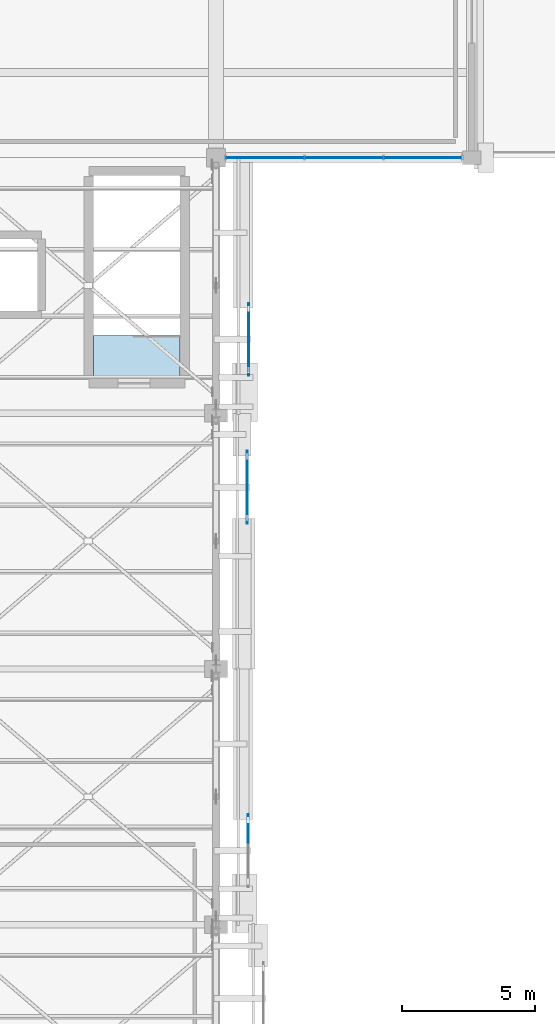
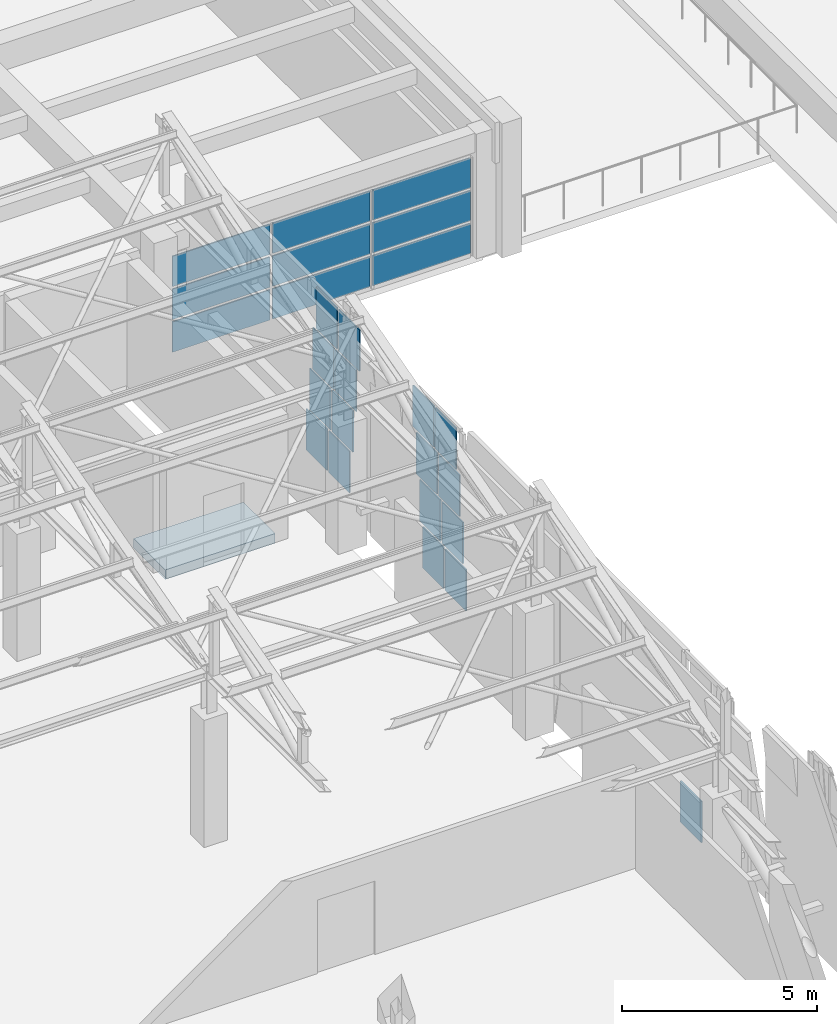
# One storey, part 36 of 71: 26 plates, 1 slab, 4 elements without a shape of their own.
"""IFC4 building model written with IfcOpenShell, lengths in metres."""

from ifc_helpers import new_model, si_unit, direction, frame, origin, origin_2d, place, context, subcontext, project, spatial, polyline, rectangle, outline, extrude, material, layer, layer_set, type_object, element, aggregate, save


model = new_model("IFC4")

# Units and contexts
model_context = context("Model", 3, precision=1e-05, world=origin(), true_north=direction((0.0, 1.0)))
body_context = subcontext(model_context, "Body", "Model", "MODEL_VIEW")
ifc_project = project(units=[si_unit("LENGTHUNIT", "METRE"), si_unit("AREAUNIT", "SQUARE_METRE"), si_unit("VOLUMEUNIT", "CUBIC_METRE"), si_unit("PLANEANGLEUNIT", "RADIAN"), si_unit("MASSUNIT", "GRAM", prefix="KILO")], contexts=[model_context])

# Site, building, storey
site_placement = place(None, origin())
site = spatial("IfcSite", under=ifc_project, at=site_placement, CompositionType="ELEMENT")
building_placement = place(site_placement, origin())
building = spatial("IfcBuilding", under=site, at=building_placement, Name="Bempovik Park Faculty of Sciences", CompositionType="ELEMENT")
storey_placement = place(building_placement, frame((0.0, 0.0, 14.10009765625)))
storey = spatial("IfcBuildingStorey", under=building, at=storey_placement, Name="L03", CompositionType="ELEMENT", Elevation=14.10009765625)

# Curtain wall, plates
ifc_material_1 = material(Name="Tempered laminated low-E glass", Category="glass")
ifc_layer_1 = layer(ifc_material_1, 0.159912109375)
ifc_layer_set_1 = layer_set([ifc_layer_1], Name="Tempered laminated low-E glass")
curtain_wall_type_1 = type_object("IfcCurtainWallType", Name="CW-41 Curtain 6600x3800", PredefinedType="USERDEFINED", material=ifc_layer_set_1)
curtain_wall_1_placement = place(storey_placement, origin())
curtain_wall_1 = element("IfcCurtainWall", 1, at=curtain_wall_1_placement, inside=storey, type_object=curtain_wall_type_1, Name="L03 Unitised Curtain Wall (67.8,117.6)", ObjectType="UNITISED CURTAIN WALL", PredefinedType="USERDEFINED")
ifc_layer_2 = layer(ifc_material_1, 0.033935546875)
ifc_layer_set_2 = layer_set([ifc_layer_2], Name="Tempered laminated low-E glass")
plate_type_1 = type_object("IfcPlateType", Name="CP-19 Curtain Panel 34mm", PredefinedType="CURTAIN_PANEL", material=ifc_layer_set_2)
plate_1_placement = place(storey_placement, frame((119.434814453125, 67.800048828125, 1.06640625), z_axis=(0.0, 0.0, 1.0), x_axis=(1.0, 0.0, 0.0)))
plate_1 = element("IfcPlate", 2, at=plate_1_placement, type_object=plate_type_1, Name="CW-BAY-L03-678-1176 Panel 0-1", PredefinedType="CURTAIN_PANEL", context=body_context, shape_type="SweptSolid", body=[
    extrude(rectangle(XDim=2.88525390625, YDim=0.035888671875, at=origin_2d()), origin(), (0.0, 0.0, 1.0), 0.94677734375),
])
plate_2_placement = place(storey_placement, frame((119.434814453125, 67.800048828125, 2.09326171875), z_axis=(0.0, 0.0, 1.0), x_axis=(1.0, 0.0, 0.0)))
plate_2 = element("IfcPlate", 3, at=plate_2_placement, type_object=plate_type_1, Name="CW-BAY-L03-678-1176 Panel 0-2", PredefinedType="CURTAIN_PANEL", context=body_context, shape_type="SweptSolid", body=[
    extrude(rectangle(XDim=2.88525390625, YDim=0.035888671875, at=origin_2d()), origin(), (0.0, 0.0, 1.0), 0.94677734375),
])
plate_3_placement = place(storey_placement, frame((122.39990234375, 67.800048828125, 1.06640625), z_axis=(0.0, 0.0, 1.0), x_axis=(1.0, 0.0, 0.0)))
plate_3 = element("IfcPlate", 4, at=plate_3_placement, type_object=plate_type_1, Name="CW-BAY-L03-678-1176 Panel 1-1", PredefinedType="CURTAIN_PANEL", context=body_context, shape_type="SweptSolid", body=[
    extrude(rectangle(XDim=2.88525390625, YDim=0.035888671875, at=origin_2d()), origin(), (0.0, 0.0, 1.0), 0.94677734375),
])
plate_4_placement = place(storey_placement, frame((122.39990234375, 67.800048828125, 2.09326171875), z_axis=(0.0, 0.0, 1.0), x_axis=(1.0, 0.0, 0.0)))
plate_4 = element("IfcPlate", 5, at=plate_4_placement, type_object=plate_type_1, Name="CW-BAY-L03-678-1176 Panel 1-2", PredefinedType="CURTAIN_PANEL", context=body_context, shape_type="SweptSolid", body=[
    extrude(rectangle(XDim=2.88525390625, YDim=0.035888671875, at=origin_2d()), origin(), (0.0, 0.0, 1.0), 0.94677734375),
])
plate_5_placement = place(storey_placement, frame((125.365234375, 67.800048828125, 1.06640625), z_axis=(0.0, 0.0, 1.0), x_axis=(1.0, 0.0, 0.0)))
plate_5 = element("IfcPlate", 6, at=plate_5_placement, type_object=plate_type_1, Name="CW-BAY-L03-678-1176 Panel 2-1", PredefinedType="CURTAIN_PANEL", context=body_context, shape_type="SweptSolid", body=[
    extrude(rectangle(XDim=2.88525390625, YDim=0.035888671875, at=origin_2d()), origin(), (0.0, 0.0, 1.0), 0.94677734375),
])
plate_6_placement = place(storey_placement, frame((125.365234375, 67.800048828125, 2.09326171875), z_axis=(0.0, 0.0, 1.0), x_axis=(1.0, 0.0, 0.0)))
plate_6 = element("IfcPlate", 7, at=plate_6_placement, type_object=plate_type_1, Name="CW-BAY-L03-678-1176 Panel 2-2", PredefinedType="CURTAIN_PANEL", context=body_context, shape_type="SweptSolid", body=[
    extrude(rectangle(XDim=2.88525390625, YDim=0.035888671875, at=origin_2d()), origin(), (0.0, 0.0, 1.0), 0.94677734375),
])

# Curtain wall, plate
ifc_layer_3 = layer(ifc_material_1, 0.159912109375)
ifc_layer_set_3 = layer_set([ifc_layer_3], Name="Tempered laminated low-E glass")
curtain_wall_type_2 = type_object("IfcCurtainWallType", Name="CW-33 Curtain 2400x4000", PredefinedType="USERDEFINED", material=ifc_layer_set_3)
curtain_wall_2_placement = place(storey_placement, origin())
curtain_wall_2 = element("IfcCurtainWall", 8, at=curtain_wall_2_placement, inside=storey, type_object=curtain_wall_type_2, Name="L03 Crystal Slantwise Light Fold (117.6,39.0)", ObjectType="UNITISED CURTAIN WALL", PredefinedType="USERDEFINED")
ifc_layer_4 = layer(ifc_material_1, 0.035888671875)
ifc_layer_set_4 = layer_set([ifc_layer_4], Name="Tempered laminated low-E glass")
plate_type_2 = type_object("IfcPlateType", Name="CP-22 Curtain Panel 36mm", PredefinedType="CURTAIN_PANEL", material=ifc_layer_set_4)
plate_7_placement = place(storey_placement, frame((118.8115234375, 42.60498046875, -0.000244140625), z_axis=(0.0, 0.0, 1.0), x_axis=(0.0, 1.0, 0.0)))
plate_7 = element("IfcPlate", 9, at=plate_7_placement, type_object=plate_type_2, Name="CW-FOLD-L03-1176-390 Panel 1-0", PredefinedType="CURTAIN_PANEL", context=body_context, shape_type="SweptSolid", body=[
    extrude(rectangle(XDim=1.070068359375, YDim=0.035888671875, at=origin_2d()), origin(), (0.0, 0.0, 1.0), 1.29248046875),
])
aggregate(curtain_wall_2, [plate_7])

# Curtain wall, plates
curtain_wall_3_placement = place(storey_placement, origin())
curtain_wall_3 = element("IfcCurtainWall", 10, at=curtain_wall_3_placement, inside=storey, type_object=curtain_wall_type_2, Name="L03 Crystal Slantwise Light Fold (117.6,48.6)", ObjectType="UNITISED CURTAIN WALL", PredefinedType="USERDEFINED")
plate_8_placement = place(storey_placement, frame((118.7734375, 54.594970703125, -0.000244140625), z_axis=(0.0, 0.0, 1.0), x_axis=(0.0, 1.0, 0.0)))
plate_8 = element("IfcPlate", 11, at=plate_8_placement, type_object=plate_type_2, Name="CW-FOLD-L03-1176-486 Panel 0-0", PredefinedType="CURTAIN_PANEL", context=body_context, shape_type="SweptSolid", body=[
    extrude(rectangle(XDim=1.070068359375, YDim=0.035888671875, at=origin_2d()), origin(), (0.0, 0.0, 1.0), 1.29248046875),
])
plate_9_placement = place(storey_placement, frame((118.7734375, 54.764892578125, 1.372314453125), z_axis=(0.0, 0.0, 1.0), x_axis=(0.0, 1.0, 0.0)))
plate_9 = element("IfcPlate", 12, at=plate_9_placement, type_object=plate_type_2, Name="CW-FOLD-L03-1176-486 Panel 0-1", PredefinedType="CURTAIN_PANEL", context=body_context, shape_type="SweptSolid", body=[
    extrude(rectangle(XDim=1.070068359375, YDim=0.035888671875, at=origin_2d()), origin(), (0.0, 0.0, 1.0), 1.29248046875),
])
plate_10_placement = place(storey_placement, frame((118.7734375, 54.93505859375, 2.744873046875), z_axis=(0.0, 0.0, 1.0), x_axis=(0.0, 1.0, 0.0)))
plate_10 = element("IfcPlate", 13, at=plate_10_placement, type_object=plate_type_2, Name="CW-FOLD-L03-1176-486 Panel 0-2", PredefinedType="CURTAIN_PANEL", context=body_context, shape_type="SweptSolid", body=[
    extrude(rectangle(XDim=1.070068359375, YDim=0.035888671875, at=origin_2d()), origin(), (0.0, 0.0, 1.0), 1.29248046875),
])
plate_11_placement = place(storey_placement, frame((118.7734375, 55.10498046875, 4.117431640625), z_axis=(0.0, 0.0, 1.0), x_axis=(0.0, 1.0, 0.0)))
plate_11 = element("IfcPlate", 14, at=plate_11_placement, type_object=plate_type_2, Name="CW-FOLD-L03-1176-486 Panel 0-3", PredefinedType="CURTAIN_PANEL", context=body_context, shape_type="SweptSolid", body=[
    extrude(rectangle(XDim=1.070068359375, YDim=0.035888671875, at=origin_2d()), origin(), (0.0, 0.0, 1.0), 1.29248046875),
])
plate_12_placement = place(storey_placement, frame((118.7734375, 55.7451171875, -0.000244140625), z_axis=(0.0, 0.0, 1.0), x_axis=(0.0, 1.0, 0.0)))
plate_12 = element("IfcPlate", 15, at=plate_12_placement, type_object=plate_type_2, Name="CW-FOLD-L03-1176-486 Panel 1-0", PredefinedType="CURTAIN_PANEL", context=body_context, shape_type="SweptSolid", body=[
    extrude(rectangle(XDim=1.070068359375, YDim=0.035888671875, at=origin_2d()), origin(), (0.0, 0.0, 1.0), 1.29248046875),
])
plate_13_placement = place(storey_placement, frame((118.7734375, 55.9150390625, 1.372314453125), z_axis=(0.0, 0.0, 1.0), x_axis=(0.0, 1.0, 0.0)))
plate_13 = element("IfcPlate", 16, at=plate_13_placement, type_object=plate_type_2, Name="CW-FOLD-L03-1176-486 Panel 1-1", PredefinedType="CURTAIN_PANEL", context=body_context, shape_type="SweptSolid", body=[
    extrude(rectangle(XDim=1.070068359375, YDim=0.035888671875, at=origin_2d()), origin(), (0.0, 0.0, 1.0), 1.29248046875),
])
plate_14_placement = place(storey_placement, frame((118.7734375, 56.0849609375, 2.744873046875), z_axis=(0.0, 0.0, 1.0), x_axis=(0.0, 1.0, 0.0)))
plate_14 = element("IfcPlate", 17, at=plate_14_placement, type_object=plate_type_2, Name="CW-FOLD-L03-1176-486 Panel 1-2", PredefinedType="CURTAIN_PANEL", context=body_context, shape_type="SweptSolid", body=[
    extrude(rectangle(XDim=1.070068359375, YDim=0.035888671875, at=origin_2d()), origin(), (0.0, 0.0, 1.0), 1.29248046875),
])
plate_15_placement = place(storey_placement, frame((118.7734375, 56.2548828125, 4.117431640625), z_axis=(0.0, 0.0, 1.0), x_axis=(0.0, 1.0, 0.0)))
plate_15 = element("IfcPlate", 18, at=plate_15_placement, type_object=plate_type_2, Name="CW-FOLD-L03-1176-486 Panel 1-3", PredefinedType="CURTAIN_PANEL", context=body_context, shape_type="SweptSolid", body=[
    extrude(rectangle(XDim=1.070068359375, YDim=0.035888671875, at=origin_2d()), origin(), (0.0, 0.0, 1.0), 1.29248046875),
])
aggregate(curtain_wall_3, [plate_8, plate_9, plate_10, plate_11, plate_12, plate_13, plate_14, plate_15])

curtain_wall_4_placement = place(storey_placement, origin())
curtain_wall_4 = element("IfcCurtainWall", 19, at=curtain_wall_4_placement, inside=storey, type_object=curtain_wall_type_2, Name="L03 Crystal Slantwise Light Fold (117.6,58.2)", ObjectType="UNITISED CURTAIN WALL", PredefinedType="USERDEFINED")
plate_16_placement = place(storey_placement, frame((118.821044921875, 60.655029296875, -0.000244140625), z_axis=(0.0, 0.0, 1.0), x_axis=(0.0, 1.0, 0.0)))
plate_16 = element("IfcPlate", 20, at=plate_16_placement, type_object=plate_type_2, Name="CW-FOLD-L03-1176-582 Panel 0-0", PredefinedType="CURTAIN_PANEL", context=body_context, shape_type="SweptSolid", body=[
    extrude(rectangle(XDim=1.070068359375, YDim=0.035888671875, at=origin_2d()), origin(), (0.0, 0.0, 1.0), 1.29248046875),
])
plate_17_placement = place(storey_placement, frame((118.821044921875, 60.485107421875, 1.372314453125), z_axis=(0.0, 0.0, 1.0), x_axis=(0.0, 1.0, 0.0)))
plate_17 = element("IfcPlate", 21, at=plate_17_placement, type_object=plate_type_2, Name="CW-FOLD-L03-1176-582 Panel 0-1", PredefinedType="CURTAIN_PANEL", context=body_context, shape_type="SweptSolid", body=[
    extrude(rectangle(XDim=1.070068359375, YDim=0.035888671875, at=origin_2d()), origin(), (0.0, 0.0, 1.0), 1.29248046875),
])
plate_18_placement = place(storey_placement, frame((118.821044921875, 60.31494140625, 2.744873046875), z_axis=(0.0, 0.0, 1.0), x_axis=(0.0, 1.0, 0.0)))
plate_18 = element("IfcPlate", 22, at=plate_18_placement, type_object=plate_type_2, Name="CW-FOLD-L03-1176-582 Panel 0-2", PredefinedType="CURTAIN_PANEL", context=body_context, shape_type="SweptSolid", body=[
    extrude(rectangle(XDim=1.070068359375, YDim=0.035888671875, at=origin_2d()), origin(), (0.0, 0.0, 1.0), 1.29248046875),
])
plate_19_placement = place(storey_placement, frame((118.821044921875, 60.14501953125, 4.117431640625), z_axis=(0.0, 0.0, 1.0), x_axis=(0.0, 1.0, 0.0)))
plate_19 = element("IfcPlate", 23, at=plate_19_placement, type_object=plate_type_2, Name="CW-FOLD-L03-1176-582 Panel 0-3", PredefinedType="CURTAIN_PANEL", context=body_context, shape_type="SweptSolid", body=[
    extrude(rectangle(XDim=1.070068359375, YDim=0.035888671875, at=origin_2d()), origin(), (0.0, 0.0, 1.0), 1.29248046875),
])
plate_20_placement = place(storey_placement, frame((118.821044921875, 61.804931640625, -0.000244140625), z_axis=(0.0, 0.0, 1.0), x_axis=(0.0, 1.0, 0.0)))
plate_20 = element("IfcPlate", 24, at=plate_20_placement, type_object=plate_type_2, Name="CW-FOLD-L03-1176-582 Panel 1-0", PredefinedType="CURTAIN_PANEL", context=body_context, shape_type="SweptSolid", body=[
    extrude(rectangle(XDim=1.070068359375, YDim=0.035888671875, at=origin_2d()), origin(), (0.0, 0.0, 1.0), 1.29248046875),
])
plate_21_placement = place(storey_placement, frame((118.821044921875, 61.635009765625, 1.372314453125), z_axis=(0.0, 0.0, 1.0), x_axis=(0.0, 1.0, 0.0)))
plate_21 = element("IfcPlate", 25, at=plate_21_placement, type_object=plate_type_2, Name="CW-FOLD-L03-1176-582 Panel 1-1", PredefinedType="CURTAIN_PANEL", context=body_context, shape_type="SweptSolid", body=[
    extrude(rectangle(XDim=1.070068359375, YDim=0.035888671875, at=origin_2d()), origin(), (0.0, 0.0, 1.0), 1.29248046875),
])
plate_22_placement = place(storey_placement, frame((118.821044921875, 61.465087890625, 2.744873046875), z_axis=(0.0, 0.0, 1.0), x_axis=(0.0, 1.0, 0.0)))
plate_22 = element("IfcPlate", 26, at=plate_22_placement, type_object=plate_type_2, Name="CW-FOLD-L03-1176-582 Panel 1-2", PredefinedType="CURTAIN_PANEL", context=body_context, shape_type="SweptSolid", body=[
    extrude(rectangle(XDim=1.070068359375, YDim=0.035888671875, at=origin_2d()), origin(), (0.0, 0.0, 1.0), 1.29248046875),
])
plate_23_placement = place(storey_placement, frame((118.821044921875, 61.294921875, 4.117431640625), z_axis=(0.0, 0.0, 1.0), x_axis=(0.0, 1.0, 0.0)))
plate_23 = element("IfcPlate", 27, at=plate_23_placement, type_object=plate_type_2, Name="CW-FOLD-L03-1176-582 Panel 1-3", PredefinedType="CURTAIN_PANEL", context=body_context, shape_type="SweptSolid", body=[
    extrude(rectangle(XDim=1.070068359375, YDim=0.035888671875, at=origin_2d()), origin(), (0.0, 0.0, 1.0), 1.29248046875),
])
aggregate(curtain_wall_4, [plate_16, plate_17, plate_18, plate_19, plate_20, plate_21, plate_22, plate_23])

# Plate
ifc_material_2 = material(Name="Anodised architectural bronze")
ifc_layer_5 = layer(ifc_material_2, 0.048095703125)
ifc_layer_set_5 = layer_set([ifc_layer_5], Name="Anodised architectural bronze")
plate_type_3 = type_object("IfcPlateType", Name="CP-24 Curtain Panel 48mm", PredefinedType="CURTAIN_PANEL", material=ifc_layer_set_5)
plate_24_placement = place(storey_placement, frame((119.434814453125, 67.800048828125, 0.039794921875), z_axis=(0.0, 0.0, 1.0), x_axis=(1.0, 0.0, 0.0)))
plate_24 = element("IfcPlate", 28, at=plate_24_placement, type_object=plate_type_3, Name="CW-BAY-L03-678-1176 Panel 0-0", PredefinedType="CURTAIN_PANEL", context=body_context, shape_type="SweptSolid", body=[
    extrude(rectangle(XDim=2.88525390625, YDim=0.035888671875, at=origin_2d()), origin(), (0.0, 0.0, 1.0), 0.94677734375),
])

plate_25_placement = place(storey_placement, frame((122.39990234375, 67.800048828125, 0.039794921875), z_axis=(0.0, 0.0, 1.0), x_axis=(1.0, 0.0, 0.0)))
plate_25 = element("IfcPlate", 29, at=plate_25_placement, type_object=plate_type_3, Name="CW-BAY-L03-678-1176 Panel 1-0", PredefinedType="CURTAIN_PANEL", context=body_context, shape_type="SweptSolid", body=[
    extrude(rectangle(XDim=2.88525390625, YDim=0.035888671875, at=origin_2d()), origin(), (0.0, 0.0, 1.0), 0.94677734375),
])

plate_26_placement = place(storey_placement, frame((125.365234375, 67.800048828125, 0.039794921875), z_axis=(0.0, 0.0, 1.0), x_axis=(1.0, 0.0, 0.0)))
plate_26 = element("IfcPlate", 30, at=plate_26_placement, type_object=plate_type_3, Name="CW-BAY-L03-678-1176 Panel 2-0", PredefinedType="CURTAIN_PANEL", context=body_context, shape_type="SweptSolid", body=[
    extrude(rectangle(XDim=2.88525390625, YDim=0.035888671875, at=origin_2d()), origin(), (0.0, 0.0, 1.0), 0.94677734375),
])

aggregate(curtain_wall_1, [plate_24, plate_1, plate_2, plate_25, plate_3, plate_4, plate_26, plate_5, plate_6])

# Slab
ifc_material_3 = material(Name="Concrete C35/45", Category="concrete")
ifc_layer_6 = layer(ifc_material_3, 0.199951171875)
ifc_layer_set_6 = layer_set([ifc_layer_6], Name="Concrete C35/45")
slab_type = type_object("IfcSlabType", Name="S-41 Slab 200mm", PredefinedType="LANDING", material=ifc_layer_set_6)
slab_placement = place(storey_placement, frame((0.0, 0.0, -0.300048828125)))
element("IfcSlab", 31, at=slab_placement, inside=storey, type_object=slab_type, Name="L03 ST-5 Floor Landing Slab", PredefinedType="LANDING", context=body_context, shape_type="SweptSolid", body=[
    extrude(outline(polyline([(116.25, 59.5), (116.25, 61.125), (113.0, 61.125), (113.0, 59.5), (116.25, 59.5)])), origin(), (0.0, 0.0, 1.0), 0.300048828125),
])

save(model, "model.ifc")
